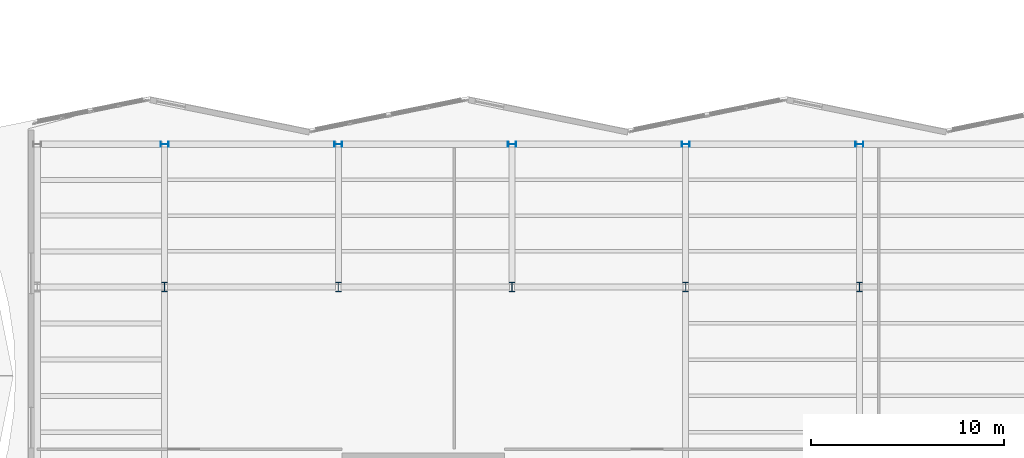
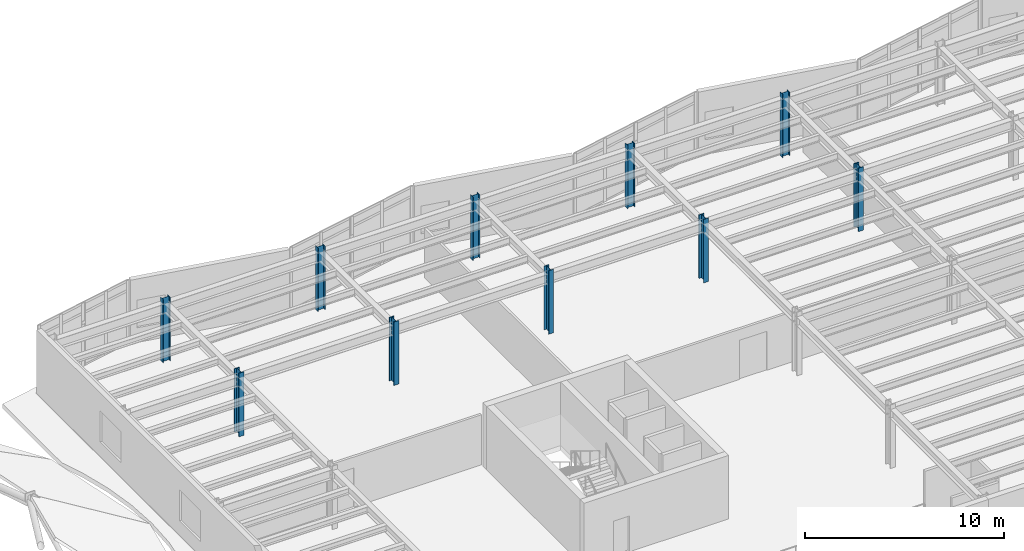
# One storey, part 9 of 59: 10 columns.
"""IFC4 building model written with IfcOpenShell, lengths in metres."""

from ifc_helpers import new_model, si_unit, direction, frame, origin, origin_2d, place, context, subcontext, project, spatial, i_section, extrude, material, material_profile, profile_set, type_object, element, save


model = new_model("IFC4")

# Units and contexts
model_context = context("Model", 3, precision=1e-05, world=origin(), true_north=direction((0.0, 1.0)))
body_context = subcontext(model_context, "Body", "Model", "MODEL_VIEW")
ifc_project = project(units=[si_unit("LENGTHUNIT", "METRE"), si_unit("AREAUNIT", "SQUARE_METRE"), si_unit("VOLUMEUNIT", "CUBIC_METRE"), si_unit("PLANEANGLEUNIT", "RADIAN"), si_unit("MASSUNIT", "GRAM", prefix="KILO")], contexts=[model_context])

# Site, building, storey
site_placement = place(None, origin())
site = spatial("IfcSite", under=ifc_project, at=site_placement, CompositionType="ELEMENT")
building_placement = place(site_placement, origin())
building = spatial("IfcBuilding", under=site, at=building_placement, Name="Sollismere Congress Hotel", CompositionType="ELEMENT")
storey_placement = place(building_placement, frame((0.0, 0.0, 15.60009765625)))
storey = spatial("IfcBuildingStorey", under=building, at=storey_placement, Name="L03", CompositionType="ELEMENT", Elevation=15.60009765625)

# Columns
ifc_material = material(Name="Steel ASTM A992 Grade 50", Category="steel")
ifc_material_profile_1 = material_profile(ifc_material, i_section(OverallWidth=0.261962890625, OverallDepth=0.4189453125, WebThickness=0.01171875, FlangeThickness=0.019287109375, at=origin_2d()), Name="W16X77")
ifc_profile_set_1 = profile_set([ifc_material_profile_1], Name="Steel ASTM A992 Grade 50")
column_type_1 = type_object("IfcColumnType", Name="COL-W16", PredefinedType="COLUMN", material=ifc_profile_set_1)
for number, where, z_axis, x_axis, name in (
    (1, (67.0, 102.39990234375, 0.0), (0.0, 0.0, 1.0), (0.0, 1.0, 0.0), "Column CL-L03-1091"),
    (2, (76.0, 102.39990234375, 0.0), (0.0, 0.0, 1.0), (0.0, 1.0, 0.0), "Column CL-L03-1097"),
    (3, (85.0, 102.39990234375, 0.0), (0.0, 0.0, 1.0), (0.0, 1.0, 0.0), "Column CL-L03-1103"),
    (4, (94.0, 102.39990234375, 0.0), (0.0, 0.0, 1.0), (0.0, 1.0, 0.0), "Column CL-L03-1109"),
    (5, (103.0, 102.39990234375, 0.0), (0.0, 0.0, 1.0), (0.0, 1.0, 0.0), "Column CL-L03-1115"),
):
    element("IfcColumn", number, at=place(storey_placement, frame(where, z_axis=z_axis, x_axis=x_axis)), inside=storey, type_object=column_type_1, Name=name, PredefinedType="COLUMN", context=body_context, shape_type="SweptSolid", body=[
        extrude(i_section(OverallWidth=0.261962890625, OverallDepth=0.4189453125, WebThickness=0.01171875, FlangeThickness=0.019287109375, at=origin_2d()), origin(), (0.0, 0.0, 1.0), 3.89990234375),
    ])
ifc_material_profile_2 = material_profile(ifc_material, i_section(OverallWidth=0.283935546875, OverallDepth=0.4951171875, WebThickness=0.0185546875, FlangeThickness=0.033447265625, at=origin_2d()), Name="W18X143")
ifc_profile_set_2 = profile_set([ifc_material_profile_2], Name="Steel ASTM A992 Grade 50")
column_type_2 = type_object("IfcColumnType", Name="COL-W18", PredefinedType="COLUMN", material=ifc_profile_set_2)
for number, where, z_axis, x_axis, name in (
    (6, (67.0, 95.0, 0.0), (0.0, 0.0, 1.0), (1.0, 0.0, 0.0), "Column CL-L03-336"),
    (7, (76.0, 95.0, 0.0), (0.0, 0.0, 1.0), (1.0, 0.0, 0.0), "Column CL-L03-388"),
    (8, (85.0, 95.0, 0.0), (0.0, 0.0, 1.0), (1.0, 0.0, 0.0), "Column CL-L03-447"),
    (9, (94.0, 95.0, 0.0), (0.0, 0.0, 1.0), (1.0, 0.0, 0.0), "Column CL-L03-505"),
    (10, (103.0, 95.0, 0.0), (0.0, 0.0, 1.0), (1.0, 0.0, 0.0), "Column CL-L03-563"),
):
    element("IfcColumn", number, at=place(storey_placement, frame(where, z_axis=z_axis, x_axis=x_axis)), inside=storey, type_object=column_type_2, Name=name, PredefinedType="COLUMN", context=body_context, shape_type="SweptSolid", body=[
        extrude(i_section(OverallWidth=0.283935546875, OverallDepth=0.4951171875, WebThickness=0.0185546875, FlangeThickness=0.033447265625, at=origin_2d()), origin(), (0.0, 0.0, 1.0), 3.89990234375),
    ])

save(model, "model.ifc")
